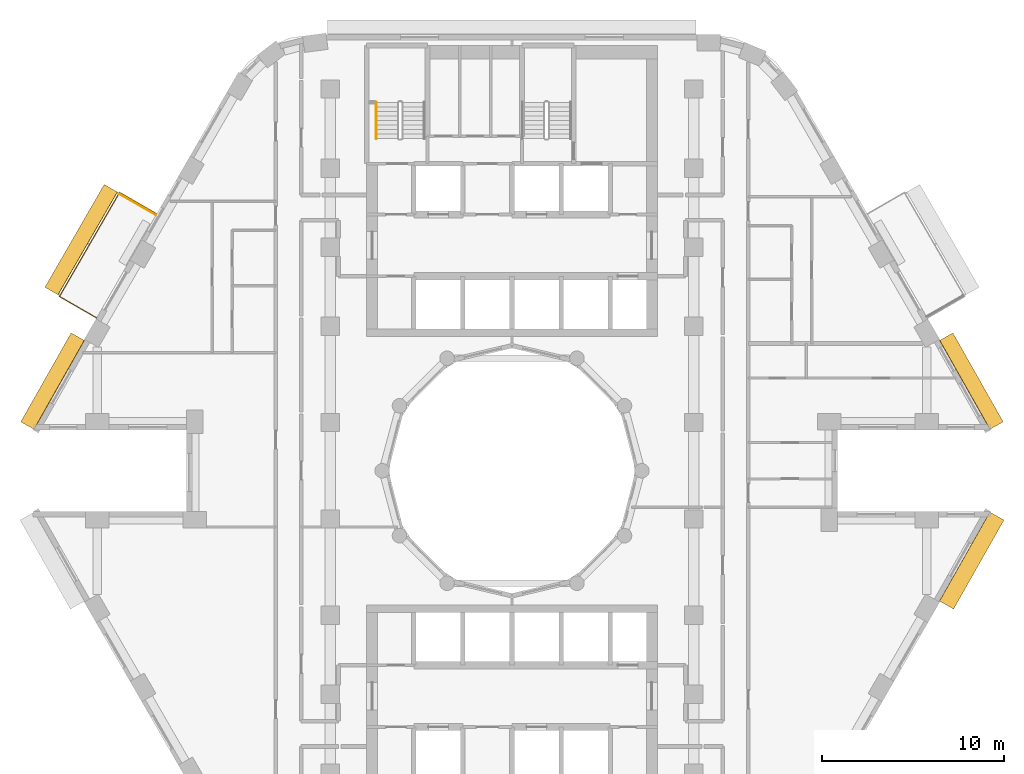
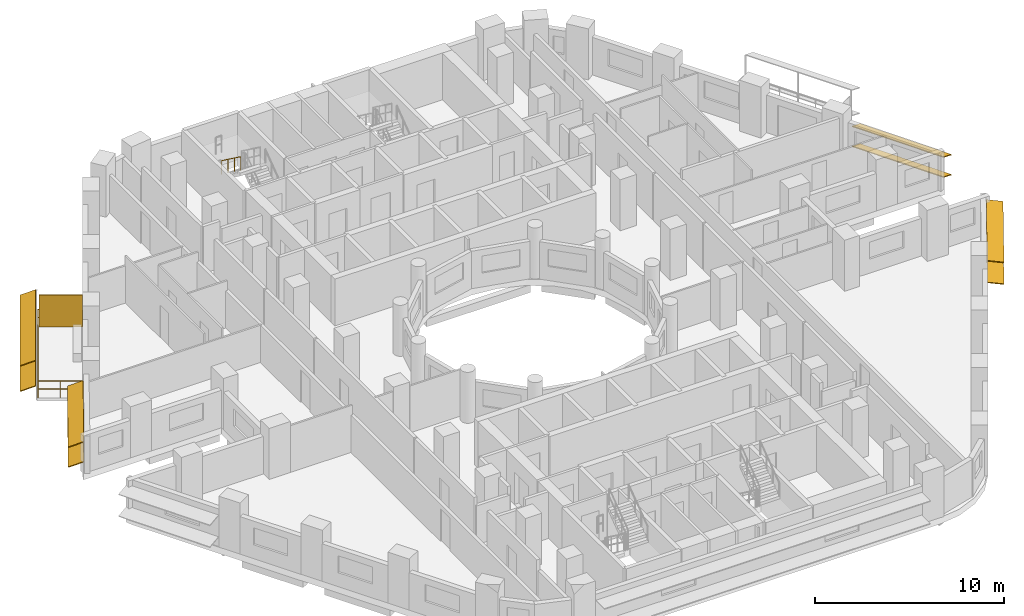
# One storey, part 13 of 14: 9 shading devices, 2 railings.
"""IFC4 building model written with IfcOpenShell, lengths in metres."""

from ifc_helpers import new_model, si_unit, direction, frame, origin, origin_2d, place, context, subcontext, project, spatial, rectangle, circle, extrude, material, layer, layer_set, material_profile, profile_set, type_object, element, save


model = new_model("IFC4")

# Units and contexts
model_context = context("Model", 3, precision=1e-05, world=origin(), true_north=direction((0.0, 1.0)))
body_context = subcontext(model_context, "Body", "Model", "MODEL_VIEW")
ifc_project = project(units=[si_unit("LENGTHUNIT", "METRE"), si_unit("AREAUNIT", "SQUARE_METRE"), si_unit("VOLUMEUNIT", "CUBIC_METRE"), si_unit("PLANEANGLEUNIT", "RADIAN"), si_unit("MASSUNIT", "GRAM", prefix="KILO")], contexts=[model_context])

# Site, building, storey
site_placement = place(None, origin())
site = spatial("IfcSite", under=ifc_project, at=site_placement, CompositionType="ELEMENT")
building_placement = place(site_placement, origin())
building = spatial("IfcBuilding", under=site, at=building_placement, Name="Nakaniwa Court", CompositionType="ELEMENT")
storey_placement = place(building_placement, frame((0.0, 0.0, 127.199951171875)))
storey = spatial("IfcBuildingStorey", under=building, at=storey_placement, Name="L32", CompositionType="ELEMENT", Elevation=127.199951171875)

# Railing
ifc_material_1 = material(Name="Black powder-coated steel flat bar balustrade S275", Category="steel")
railing_type_1 = type_object("IfcRailingType", Name="Black metal balcony guard 1100", PredefinedType="GUARDRAIL", material=ifc_material_1)
railing_1_placement = place(storey_placement, frame((60.44677734375, 94.133056640625, -0.050048828125)))
element("IfcRailing", 1, at=railing_1_placement, inside=storey, type_object=railing_type_1, Name="L32 balcony guard 01", PredefinedType="GUARDRAIL", context=body_context, shape_type="SweptSolid", body=[
    extrude(circle(Radius=0.02392578125, at=origin_2d()), frame((0.0, 0.0, 1.076171875), z_axis=(-0.866025363618, 0.50000006957, 0.0), x_axis=(-0.50000006957, -0.866025363618, 0.0)), (0.0, 0.0, 1.0), 2.35986328125),
    extrude(circle(Radius=0.02392578125, at=origin_2d()), frame((0.0, 0.0, 0.550048828125), z_axis=(-0.866025363618, 0.50000006957, 0.0), x_axis=(-0.50000006957, -0.866025363618, 0.0)), (0.0, 0.0, 1.0), 2.35986328125),
    extrude(circle(Radius=0.02392578125, at=origin_2d()), frame((-2.043701171875, 1.179931640625, 1.076171875), z_axis=(-0.500004921708, -0.866022562216, 0.0), x_axis=(0.866022562216, -0.500004921708, 0.0)), (0.0, 0.0, 1.0), 6.60888671875),
    extrude(circle(Radius=0.02392578125, at=origin_2d()), frame((-2.043701171875, 1.179931640625, 0.550048828125), z_axis=(-0.500004921708, -0.866022562216, 0.0), x_axis=(0.866022562216, -0.500004921708, 0.0)), (0.0, 0.0, 1.0), 6.60888671875),
    extrude(circle(Radius=0.02392578125, at=origin_2d()), frame((-5.34814453125, -4.54345703125, 1.076171875), z_axis=(0.866006432019, -0.500032858622, 0.0), x_axis=(0.500032858622, 0.866006432019, 0.0)), (0.0, 0.0, 1.0), 2.360107421875),
    extrude(circle(Radius=0.02392578125, at=origin_2d()), frame((-5.34814453125, -4.54345703125, 0.550048828125), z_axis=(0.866006432019, -0.500032858622, 0.0), x_axis=(0.500032858622, 0.866006432019, 0.0)), (0.0, 0.0, 1.0), 2.360107421875),
    extrude(circle(Radius=0.02099609375, at=origin_2d()), origin(), (0.0, 0.0, 1.0), 1.052001953125),
    extrude(circle(Radius=0.02099609375, at=origin_2d()), frame((-1.02197265625, 0.58984375, 0.0)), (0.0, 0.0, 1.0), 1.052001953125),
    extrude(circle(Radius=0.02099609375, at=origin_2d()), frame((-2.043701171875, 1.179931640625, 0.0)), (0.0, 0.0, 1.0), 1.052001953125),
    extrude(circle(Radius=0.02099609375, at=origin_2d()), frame((-2.594482421875, 0.22607421875, 0.0)), (0.0, 0.0, 1.0), 1.052001953125),
    extrude(circle(Radius=0.02099609375, at=origin_2d()), frame((-3.145263671875, -0.727783203125, 0.0)), (0.0, 0.0, 1.0), 1.052001953125),
    extrude(circle(Radius=0.02099609375, at=origin_2d()), frame((-3.69580078125, -1.681640625, 0.0)), (0.0, 0.0, 1.0), 1.052001953125),
    extrude(circle(Radius=0.02099609375, at=origin_2d()), frame((-4.24658203125, -2.6357421875, 0.0)), (0.0, 0.0, 1.0), 1.052001953125),
    extrude(circle(Radius=0.02099609375, at=origin_2d()), frame((-4.79736328125, -3.589599609375, 0.0)), (0.0, 0.0, 1.0), 1.052001953125),
    extrude(circle(Radius=0.02099609375, at=origin_2d()), frame((-5.34814453125, -4.54345703125, 0.0)), (0.0, 0.0, 1.0), 1.052001953125),
    extrude(circle(Radius=0.02099609375, at=origin_2d()), frame((-4.326171875, -5.133544921875, 0.0)), (0.0, 0.0, 1.0), 1.052001953125),
    extrude(circle(Radius=0.02099609375, at=origin_2d()), frame((-3.30419921875, -5.7236328125, 0.0)), (0.0, 0.0, 1.0), 1.052001953125),
])

# Shading devices
ifc_material_2 = material(Name="Black powder-coated aluminium slat screen", Category="aluminium")
ifc_layer = layer(ifc_material_2, 0.0400390625)
ifc_layer_set = layer_set([ifc_layer], Name="Black powder-coated aluminium slat screen")
shading_device_type_1 = type_object("IfcShadingDeviceType", Name="Koshi screen black metal", PredefinedType="USERDEFINED", material=ifc_layer_set)
shading_device_placement = place(storey_placement, frame((59.406494140625, 94.64111328125, -0.050048828125), z_axis=(0.0, 0.0, 1.0), x_axis=(-0.499975815814, -0.866039366081, 0.0)))
element("IfcShadingDevice", 2, at=shading_device_placement, inside=storey, type_object=shading_device_type_1, Name="L32 balcony SCREEN 01 W", ObjectType="KOSHI SCREEN", PredefinedType="USERDEFINED", context=body_context, shape_type="SweptSolid", body=[
    extrude(rectangle(XDim=0.0400390625, YDim=2.31005859375, at=origin_2d()), origin(), (0.0, 0.0, 1.0), 2.10009765625),
])
ifc_material_3 = material(Name="Perforated charcoal ceramic louvre blade")
ifc_material_profile = material_profile(ifc_material_3, rectangle(XDim=0.89990234375, YDim=0.050048828125, at=origin_2d()), Name="Perforated ceramic louvre blade")
ifc_profile_set = profile_set([ifc_material_profile], Name="Perforated charcoal ceramic louvre blade")
shading_device_type_2 = type_object("IfcShadingDeviceType", Name="Perforated ceramic louvre blade", PredefinedType="JALOUSIE", material=ifc_profile_set)
for number, where, z_axis, x_axis, name in (
    (3, (57.927978515625, 95.541015625, 0.5), (-0.499959831567, -0.866048593798, 0.0), (0.80012456997, -0.461902655462, 0.382683432365), "L32 perforated ceramic louvre blade 01 1"),
    (4, (57.927978515625, 95.541015625, 2.150146484375), (-0.499959831567, -0.866048593798, 0.0), (0.80012456997, -0.461902655462, 0.382683432365), "L32 perforated ceramic louvre blade 01 2"),
):
    element("IfcShadingDevice", number, at=place(storey_placement, frame(where, z_axis=z_axis, x_axis=x_axis)), inside=storey, type_object=shading_device_type_2, Name=name, PredefinedType="JALOUSIE", context=body_context, shape_type="SweptSolid", body=[
        extrude(rectangle(XDim=0.89990234375, YDim=0.050048828125, at=origin_2d()), origin(), (0.0, 0.0, 1.0), 6.52880859375),
    ])
for number, where, z_axis, x_axis, name in (
    (5, (106.662353515625, 82.48046875, 0.550048828125), (-0.49253187421, 0.870294405869, 0.0), (-0.804627241022, -0.455368390728, 0.38107037635), "L32 perforated ceramic louvre blade w02 1"),
    (6, (106.662353515625, 82.48046875, 1.845458984375), (-0.49253187421, 0.870294405869, 0.0), (-0.804627241022, -0.455368390728, 0.38107037635), "L32 perforated ceramic louvre blade w02 2"),
    (7, (56.10888671875, 87.377197265625, 0.550048828125), (-0.49253187421, -0.870294405869, 0.0), (0.804627241022, -0.455368390728, 0.38107037635), "L32 perforated ceramic louvre blade w14 1"),
    (8, (56.10888671875, 87.377197265625, 1.845458984375), (-0.49253187421, -0.870294405869, 0.0), (0.804627241022, -0.455368390728, 0.38107037635), "L32 perforated ceramic louvre blade w14 2"),
    (9, (103.911865234375, 72.611083984375, 0.550048828125), (0.49253187421, 0.870294405869, 0.0), (-0.862649339692, 0.488205247786, 0.132256390257), "L32 perforated ceramic louvre blade w32 1"),
    (10, (103.911865234375, 72.611083984375, 1.955810546875), (0.49253187421, 0.870294405869, 0.0), (-0.862649339692, 0.488205247786, 0.132256390257), "L32 perforated ceramic louvre blade w32 2"),
):
    element("IfcShadingDevice", number, at=place(storey_placement, frame(where, z_axis=z_axis, x_axis=x_axis)), inside=storey, type_object=shading_device_type_2, Name=name, PredefinedType="JALOUSIE", context=body_context, shape_type="SweptSolid", body=[
        extrude(rectangle(XDim=0.89990234375, YDim=0.050048828125, at=origin_2d()), origin(), (0.0, 0.0, 1.0), 5.62646484375),
    ])

# Railing
ifc_material_4 = material(Name="Black powder coated steel handrail", Category="steel")
railing_type_2 = type_object("IfcRailingType", Name="Stair handrail 900", PredefinedType="HANDRAIL", material=ifc_material_4)
railing_2_placement = place(storey_placement, frame((72.52490234375, 100.27490234375, 1.83349609375)))
element("IfcRailing", 11, at=railing_2_placement, inside=storey, type_object=railing_type_2, Name="L32 ST1 stair handrail 2", PredefinedType="HANDRAIL", context=body_context, shape_type="SweptSolid", body=[
    extrude(circle(Radius=0.02392578125, at=origin_2d()), frame((0.0, 0.0, 0.8759765625), z_axis=(0.0, -0.806426902644, 0.591333789573), x_axis=(1.0, 0.0, 0.0)), (0.0, 0.0, 1.0), 2.47998046875),
    extrude(circle(Radius=0.02099609375, at=origin_2d()), origin(), (0.0, 0.0, 1.0), 0.851806640625),
    extrude(circle(Radius=0.02099609375, at=origin_2d()), frame((0.0, -0.666748046875, 0.48876953125)), (0.0, 0.0, 1.0), 0.851806640625),
    extrude(circle(Radius=0.02099609375, at=origin_2d()), frame((0.0, -1.333251953125, 0.977783203125)), (0.0, 0.0, 1.0), 0.851806640625),
    extrude(circle(Radius=0.02099609375, at=origin_2d()), frame((0.0, -2.0, 1.466552734375)), (0.0, 0.0, 1.0), 0.851806640625),
])

save(model, "model.ifc")
